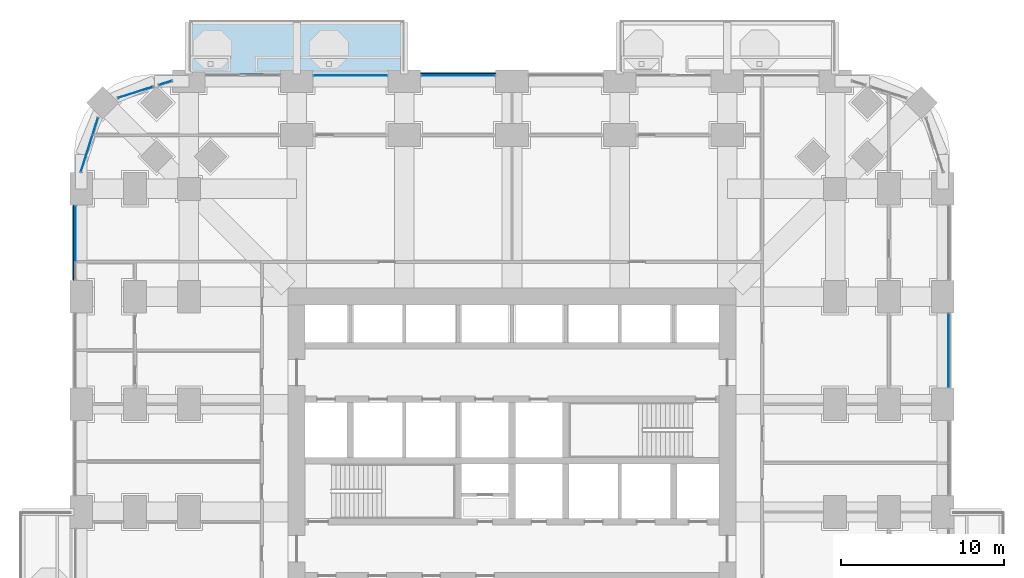
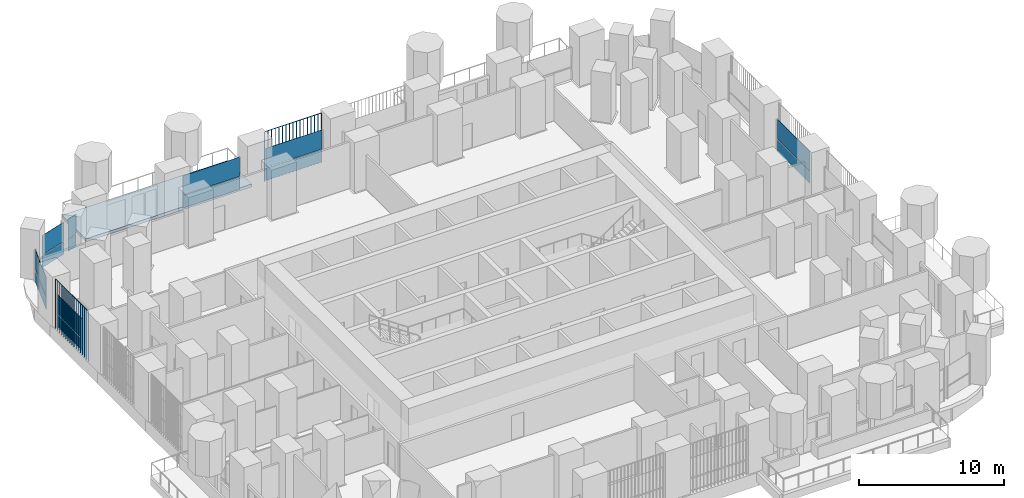
# One storey, part 14 of 25: 18 plates, 1 slab, 7 elements without a shape of their own.
"""IFC4 building model written with IfcOpenShell, lengths in metres."""

import ifcopenshell
import ifcopenshell.guid

model = None  # the IFC model being written
_history = None  # IfcOwnerHistory: only IFC2X3 demands one
_inside = {}  # id of a spatial element -> (the spatial element, [elements in it])
_under = {}  # id of a project, library or spatial element -> (it, [spatial elements below it])
_declared = {}  # id of a project -> (the project, [libraries it declares])
_typed = {}  # id of a type object -> (the type object, [elements of that type])
_made_of = {}  # id of a material, layer set ... -> (it, [elements and type objects made of it])


def new_model(schema):
    """Start an empty IFC model of exactly this schema.

    Asked for "IFC4X3", IfcOpenShell would pick the latest addendum, in which some entities
    have other attributes; the version numbers below select the first issue.
    IFC2X3 requires an IfcOwnerHistory on every rooted entity: one is made here for all.
    """
    global model, _history
    if schema == "IFC4X3":
        model = ifcopenshell.file(schema_version=(4, 3, 0, 0))
    else:
        model = ifcopenshell.file(schema=schema)
    _inside.clear()
    _under.clear()
    _declared.clear()
    _typed.clear()
    _made_of.clear()
    _history = None
    if model.schema == "IFC2X3":
        org = make("IfcOrganization", Name="unknown")
        user = make(
            "IfcPersonAndOrganization",
            ThePerson=make("IfcPerson", FamilyName="unknown"),
            TheOrganization=org,
        )
        app = make(
            "IfcApplication",
            ApplicationDeveloper=org,
            Version="unknown",
            ApplicationFullName="unknown",
            ApplicationIdentifier="unknown",
        )
        _history = make(
            "IfcOwnerHistory",
            OwningUser=user,
            OwningApplication=app,
            ChangeAction="ADDED",
            CreationDate=0,
        )
    return model


def make(cls, **values):
    """One entity of the class cls with the attributes given. An attribute that is None is left unset."""
    return model.create_entity(
        cls, **{name: value for name, value in values.items() if value is not None}
    )


def rooted(cls, **values):
    """An entity with a GlobalId (a new one), such as an element, a storey or a relation."""
    return make(cls, GlobalId=ifcopenshell.guid.new(), OwnerHistory=_history, **values)


def si_unit(unit_type, name, prefix=None):
    """IfcSIUnit, for example si_unit("LENGTHUNIT", "METRE", prefix="MILLI")."""
    return make("IfcSIUnit", UnitType=unit_type, Prefix=prefix, Name=name)


def assignment(units):
    """IfcUnitAssignment: the units of a project."""
    return None if units is None else make("IfcUnitAssignment", Units=units)


def point(xyz):
    """IfcCartesianPoint."""
    return None if xyz is None else make("IfcCartesianPoint", Coordinates=xyz)


def direction(xyz):
    """IfcDirection."""
    return None if xyz is None else make("IfcDirection", DirectionRatios=xyz)


def frame(location, z_axis=None, x_axis=None):
    """IfcAxis2Placement3D, a coordinate frame: its origin and axes. An axis left out is left unset."""
    return make(
        "IfcAxis2Placement3D",
        Location=point(location),
        Axis=direction(z_axis),
        RefDirection=direction(x_axis),
    )


def frame_2d(location, x_axis=None):
    """IfcAxis2Placement2D, a coordinate frame in the plane: its origin and x axis."""
    return make(
        "IfcAxis2Placement2D", Location=point(location), RefDirection=direction(x_axis)
    )


def origin():
    """The frame at (0, 0, 0) with its axes left unset."""
    return frame((0.0, 0.0, 0.0))


def origin_2d():
    """The frame at (0, 0) in the plane with its x axis left unset."""
    return frame_2d((0.0, 0.0))


def place(relative_to, where):
    """IfcLocalPlacement: puts the frame where relative to a parent placement (None: the world)."""
    return make(
        "IfcLocalPlacement", PlacementRelTo=relative_to, RelativePlacement=where
    )


def context(
    kind, dimensions, precision=None, world=None, true_north=None, identifier=None
):
    """IfcGeometricRepresentationContext, for example the 3D "Model" context."""
    return make(
        "IfcGeometricRepresentationContext",
        ContextIdentifier=identifier,
        ContextType=kind,
        CoordinateSpaceDimension=dimensions,
        Precision=precision,
        WorldCoordinateSystem=world,
        TrueNorth=true_north,
    )


def subcontext(parent, identifier, kind, view, scale=None):
    """IfcGeometricRepresentationSubContext, for example "Body" below "Model"."""
    return make(
        "IfcGeometricRepresentationSubContext",
        ContextIdentifier=identifier,
        ContextType=kind,
        ParentContext=parent,
        TargetScale=scale,
        TargetView=view,
    )


def project(units=None, contexts=None):
    """IfcProject with its units and contexts."""
    return rooted(
        "IfcProject",
        Name="project",
        RepresentationContexts=contexts,
        UnitsInContext=assignment(units),
    )


def spatial(cls, under=None, at=None, **own):
    """A site, building, storey or space (cls), placed at a placement, below another one or the project."""
    s = rooted(cls, ObjectPlacement=at, **own)
    if under is not None:
        _under.setdefault(under.id(), (under, []))[1].append(s)
    return s


def polyline(points):
    """IfcPolyline through the points."""
    return make("IfcPolyline", Points=[point(p) for p in points])


def profile(cls, at=None, kind="AREA", **sizes):
    """A parametric profile (cls). Its sizes go by their IFC names, for example OverallWidth=200.0."""
    return make(cls, ProfileType=kind, Position=at, **sizes)


def rectangle(**sizes):
    """IfcRectangleProfileDef."""
    return profile("IfcRectangleProfileDef", **sizes)


def outline(outer, holes=None, kind="AREA"):
    """IfcArbitraryClosedProfileDef: a profile drawn as a closed curve; with holes, ...WithVoids."""
    if holes is None:
        return make("IfcArbitraryClosedProfileDef", ProfileType=kind, OuterCurve=outer)
    return make(
        "IfcArbitraryProfileDefWithVoids",
        ProfileType=kind,
        OuterCurve=outer,
        InnerCurves=holes,
    )


def extrude(swept, where, along, depth):
    """IfcExtrudedAreaSolid: the profile swept, set in the frame where, extruded along a direction by depth."""
    return make(
        "IfcExtrudedAreaSolid",
        SweptArea=swept,
        Position=where,
        ExtrudedDirection=direction(along),
        Depth=depth,
    )


def shape(context_of_items, identifier, shape_type, items):
    """IfcShapeRepresentation: the items that make up one representation, for example the "Body"."""
    return make(
        "IfcShapeRepresentation",
        ContextOfItems=context_of_items,
        RepresentationIdentifier=identifier,
        RepresentationType=shape_type,
        Items=items,
    )


def material(Name=None, Category=None):
    """IfcMaterial."""
    return make("IfcMaterial", Name=Name, Category=Category)


def layer(
    of_material, thickness, ventilated=None, Name=None, Category=None, Priority=None
):
    """IfcMaterialLayer: one layer of a wall or slab, of a material (None: an air gap)."""
    return make(
        "IfcMaterialLayer",
        Material=of_material,
        LayerThickness=thickness,
        IsVentilated=ventilated,
        Name=Name,
        Category=Category,
        Priority=Priority,
    )


def layer_set(layers, Name=None):
    """IfcMaterialLayerSet."""
    return make("IfcMaterialLayerSet", MaterialLayers=layers, LayerSetName=Name)


def made_of(thing, what):
    """Note that an element or type object is made of a material, layer set ...; save() writes the relation."""
    if what is not None:
        _made_of.setdefault(what.id(), (what, []))[1].append(thing)
    return thing


def type_object(cls, material=None, **own):
    """A type object (cls), such as IfcWallType, which elements share."""
    return made_of(rooted(cls, **own), material)


def element(
    cls,
    number,
    at=None,
    inside=None,
    cuts=None,
    type_object=None,
    material=None,
    context=None,
    identifier="Body",
    shape_type=None,
    held_by="IfcProductDefinitionShape",
    body=None,
    shapes=None,
    **own,
):
    """One element of the class cls, such as IfcWall. Its Tag is "e" and its number.

    at: its placement. inside: the storey or other place that contains it. cuts: it is an
    opening in that element (IfcRelVoidsElement). A single representation is given by context,
    identifier, shape_type and body (its items); several are given by shapes. held_by: the class
    of the entity that holds the representations. save() writes the other relations.
    """
    e = rooted(cls, Tag="e%d" % number, ObjectPlacement=at, **own)
    if body is not None:
        shapes = [shape(context, identifier, shape_type, body)]
    if shapes is not None:
        e.Representation = make(held_by, Representations=shapes)
    if inside is not None:
        _inside.setdefault(inside.id(), (inside, []))[1].append(e)
    if cuts is not None:
        rooted(
            "IfcRelVoidsElement", RelatingBuildingElement=cuts, RelatedOpeningElement=e
        )
    if type_object is not None:
        _typed.setdefault(type_object.id(), (type_object, []))[1].append(e)
    return made_of(e, material)


def aggregate(whole, parts):
    """IfcRelAggregates: a whole, such as a stair, and the parts it consists of."""
    return rooted("IfcRelAggregates", RelatingObject=whole, RelatedObjects=parts)


def save(model, path):
    """Write the relations noted so far, then the file.

    IfcRelAggregates (storeys below a building ...), IfcRelContainedInSpatialStructure (elements
    in a storey), IfcRelDefinesByType, IfcRelAssociatesMaterial and IfcRelDeclares: one each for
    every whole, place, type object, material and project.
    """
    for whole, parts in _under.values():
        aggregate(whole, parts)
    for where, things in _inside.values():
        rooted(
            "IfcRelContainedInSpatialStructure",
            RelatedElements=things,
            RelatingStructure=where,
        )
    for kind, things in _typed.values():
        rooted("IfcRelDefinesByType", RelatedObjects=things, RelatingType=kind)
    for what, things in _made_of.values():
        rooted("IfcRelAssociatesMaterial", RelatedObjects=things, RelatingMaterial=what)
    for by, libraries in _declared.values():
        rooted("IfcRelDeclares", RelatingContext=by, RelatedDefinitions=libraries)
    model.write(path)


model = new_model("IFC4")

# Units and contexts
model_context = context("Model", 3, precision=1e-05, world=origin(), true_north=direction((0.0, 1.0)))
body_context = subcontext(model_context, "Body", "Model", "MODEL_VIEW")
ifc_project = project(units=[si_unit("LENGTHUNIT", "METRE"), si_unit("AREAUNIT", "SQUARE_METRE"), si_unit("VOLUMEUNIT", "CUBIC_METRE"), si_unit("PLANEANGLEUNIT", "RADIAN"), si_unit("MASSUNIT", "GRAM", prefix="KILO")], contexts=[model_context])

# Site, building, storey
site_placement = place(None, origin())
site = spatial("IfcSite", under=ifc_project, at=site_placement, CompositionType="ELEMENT")
building_placement = place(site_placement, origin())
building = spatial("IfcBuilding", under=site, at=building_placement, Name="Cobogo Forest Laboratory Tower", CompositionType="ELEMENT")
storey_placement = place(building_placement, frame((0.0, 0.0, 21.300048828125)))
storey = spatial("IfcBuildingStorey", under=building, at=storey_placement, Name="L04", CompositionType="ELEMENT", Elevation=21.300048828125)

# Slab
ifc_material_1 = material(Name="Concrete HA-40 (C40/50)", Category="concrete")
ifc_layer_1 = layer(ifc_material_1, 0.25)
ifc_layer_set_1 = layer_set([ifc_layer_1], Name="Balcony slab 250")
slab_type = type_object("IfcSlabType", Name="Balcony slab 250", PredefinedType="FLOOR", material=ifc_layer_set_1)
slab_placement = place(storey_placement, frame((0.0, 0.0, -0.25)))
element("IfcSlab", 1, at=slab_placement, inside=storey, type_object=slab_type, Name="Balcony BAL-N1 L04", PredefinedType="FLOOR", context=body_context, shape_type="SweptSolid", body=[
    extrude(outline(polyline([(6.60009765625, 46.64990234375), (19.800048828125, 46.64990234375), (19.800048828125, 49.949951171875), (6.60009765625, 49.949951171875), (6.60009765625, 46.64990234375)])), origin(), (0.0, 0.0, 1.0), 0.25),
])

# Curtain wall, plates
ifc_material_2 = material(Name="Aluminium curtain wall", Category="aluminium")
curtain_wall_type = type_object("IfcCurtainWallType", Name="CW-1 unitised curtain wall, clear glazing, laboratory floors zones A and B", PredefinedType="USERDEFINED", material=ifc_material_2)
curtain_wall_1_placement = place(storey_placement, origin())
curtain_wall_1 = element("IfcCurtainWall", 2, at=curtain_wall_1_placement, inside=storey, type_object=curtain_wall_type, Name="Curtain wall 13 L04", ObjectType="UNITISED CURTAIN WALL", PredefinedType="USERDEFINED")
ifc_material_3 = material(Name="Clear insulated glass", Category="glass")
ifc_layer_2 = layer(ifc_material_3, 0.028076171875)
ifc_layer_set_2 = layer_set([ifc_layer_2], Name="GP-1 clear insulated glass unit 28")
plate_type_1 = type_object("IfcPlateType", Name="GP-1 clear insulated glass unit 28", PredefinedType="CURTAIN_PANEL", material=ifc_layer_set_2)
plate_1_placement = place(storey_placement, frame((53.14990234375, 29.699951171875, 0.0), z_axis=(0.0, 0.0, 1.0), x_axis=(0.0, 1.0, 0.0)))
plate_1 = element("IfcPlate", 3, at=plate_1_placement, type_object=plate_type_1, Name="CW-1 panel 1.1", PredefinedType="CURTAIN_PANEL", context=body_context, shape_type="SweptSolid", body=[
    extrude(rectangle(XDim=4.47998046875, YDim=0.028076171875, at=origin_2d()), origin(), (0.0, 0.0, 1.0), 1.02001953125),
])
plate_2_placement = place(storey_placement, frame((53.14990234375, 29.699951171875, 1.079833984375), z_axis=(0.0, 0.0, 1.0), x_axis=(0.0, 1.0, 0.0)))
plate_2 = element("IfcPlate", 4, at=plate_2_placement, type_object=plate_type_1, Name="CW-1 panel 1.2", PredefinedType="CURTAIN_PANEL", context=body_context, shape_type="SweptSolid", body=[
    extrude(rectangle(XDim=4.47998046875, YDim=0.028076171875, at=origin_2d()), origin(), (0.0, 0.0, 1.0), 1.6201171875),
])
aggregate(curtain_wall_1, [plate_1, plate_2])

curtain_wall_2_placement = place(storey_placement, origin())
curtain_wall_2 = element("IfcCurtainWall", 5, at=curtain_wall_2_placement, inside=storey, type_object=curtain_wall_type, Name="Curtain wall 21 L04", ObjectType="UNITISED CURTAIN WALL", PredefinedType="USERDEFINED")
plate_3_placement = place(storey_placement, frame((23.10009765625, 46.550048828125, 0.0), z_axis=(0.0, 0.0, 1.0), x_axis=(-1.0, 0.0, 0.0)))
plate_3 = element("IfcPlate", 6, at=plate_3_placement, type_object=plate_type_1, Name="CW-1 panel 1.1", PredefinedType="CURTAIN_PANEL", context=body_context, shape_type="SweptSolid", body=[
    extrude(rectangle(XDim=4.47998046875, YDim=0.028076171875, at=origin_2d()), origin(), (0.0, 0.0, 1.0), 1.02001953125),
])
plate_4_placement = place(storey_placement, frame((23.10009765625, 46.550048828125, 1.079833984375), z_axis=(0.0, 0.0, 1.0), x_axis=(-1.0, 0.0, 0.0)))
plate_4 = element("IfcPlate", 7, at=plate_4_placement, type_object=plate_type_1, Name="CW-1 panel 1.2", PredefinedType="CURTAIN_PANEL", context=body_context, shape_type="SweptSolid", body=[
    extrude(rectangle(XDim=4.47998046875, YDim=0.028076171875, at=origin_2d()), origin(), (0.0, 0.0, 1.0), 1.6201171875),
])
aggregate(curtain_wall_2, [plate_3, plate_4])

curtain_wall_3_placement = place(storey_placement, origin())
curtain_wall_3 = element("IfcCurtainWall", 8, at=curtain_wall_3_placement, inside=storey, type_object=curtain_wall_type, Name="Curtain wall 22 L04", ObjectType="UNITISED CURTAIN WALL", PredefinedType="USERDEFINED")
plate_5_placement = place(storey_placement, frame((16.5, 46.550048828125, 0.0), z_axis=(0.0, 0.0, 1.0), x_axis=(-1.0, 0.0, 0.0)))
plate_5 = element("IfcPlate", 9, at=plate_5_placement, type_object=plate_type_1, Name="CW-1 panel 1.1", PredefinedType="CURTAIN_PANEL", context=body_context, shape_type="SweptSolid", body=[
    extrude(rectangle(XDim=4.47998046875, YDim=0.028076171875, at=origin_2d()), origin(), (0.0, 0.0, 1.0), 1.02001953125),
])
plate_6_placement = place(storey_placement, frame((16.5, 46.550048828125, 1.079833984375), z_axis=(0.0, 0.0, 1.0), x_axis=(-1.0, 0.0, 0.0)))
plate_6 = element("IfcPlate", 10, at=plate_6_placement, type_object=plate_type_1, Name="CW-1 panel 1.2", PredefinedType="CURTAIN_PANEL", context=body_context, shape_type="SweptSolid", body=[
    extrude(rectangle(XDim=4.47998046875, YDim=0.028076171875, at=origin_2d()), origin(), (0.0, 0.0, 1.0), 1.6201171875),
])
aggregate(curtain_wall_3, [plate_5, plate_6])

curtain_wall_4_placement = place(storey_placement, origin())
curtain_wall_4 = element("IfcCurtainWall", 11, at=curtain_wall_4_placement, inside=storey, type_object=curtain_wall_type, Name="Curtain wall 24 L04", ObjectType="UNITISED CURTAIN WALL", PredefinedType="USERDEFINED")
plate_7_placement = place(storey_placement, frame((5.158935546875, 46.094970703125, 0.0), z_axis=(0.0, 0.0, 1.0), x_axis=(-0.953581406818, -0.301135352577, 0.0)))
plate_7 = element("IfcPlate", 12, at=plate_7_placement, type_object=plate_type_1, Name="CW-1 panel 1.1", PredefinedType="CURTAIN_PANEL", context=body_context, shape_type="SweptSolid", body=[
    extrude(rectangle(XDim=0.804931640625, YDim=0.028076171875, at=origin_2d()), origin(), (0.0, 0.0, 1.0), 1.02001953125),
])
plate_8_placement = place(storey_placement, frame((5.158935546875, 46.094970703125, 1.079833984375), z_axis=(0.0, 0.0, 1.0), x_axis=(-0.953581406818, -0.301135352577, 0.0)))
plate_8 = element("IfcPlate", 13, at=plate_8_placement, type_object=plate_type_1, Name="CW-1 panel 1.2", PredefinedType="CURTAIN_PANEL", context=body_context, shape_type="SweptSolid", body=[
    extrude(rectangle(XDim=0.804931640625, YDim=0.028076171875, at=origin_2d()), origin(), (0.0, 0.0, 1.0), 1.6201171875),
])
aggregate(curtain_wall_4, [plate_7, plate_8])

curtain_wall_5_placement = place(storey_placement, origin())
curtain_wall_5 = element("IfcCurtainWall", 14, at=curtain_wall_5_placement, inside=storey, type_object=curtain_wall_type, Name="Curtain wall 25 L04", ObjectType="UNITISED CURTAIN WALL", PredefinedType="USERDEFINED")
plate_9_placement = place(storey_placement, frame((3.31787109375, 45.513427734375, 0.0), z_axis=(0.0, 0.0, 1.0), x_axis=(-0.953581409645, -0.301135343623, 0.0)))
plate_9 = element("IfcPlate", 15, at=plate_9_placement, type_object=plate_type_1, Name="CW-1 panel 1.1", PredefinedType="CURTAIN_PANEL", context=body_context, shape_type="SweptSolid", body=[
    extrude(rectangle(XDim=2.203369140625, YDim=0.028076171875, at=origin_2d()), origin(), (0.0, 0.0, 1.0), 1.02001953125),
])
plate_10_placement = place(storey_placement, frame((3.31787109375, 45.513427734375, 1.079833984375), z_axis=(0.0, 0.0, 1.0), x_axis=(-0.953581409645, -0.301135343623, 0.0)))
plate_10 = element("IfcPlate", 16, at=plate_10_placement, type_object=plate_type_1, Name="CW-1 panel 1.2", PredefinedType="CURTAIN_PANEL", context=body_context, shape_type="SweptSolid", body=[
    extrude(rectangle(XDim=2.203369140625, YDim=0.028076171875, at=origin_2d()), origin(), (0.0, 0.0, 1.0), 1.6201171875),
])
aggregate(curtain_wall_5, [plate_9, plate_10])

curtain_wall_6_placement = place(storey_placement, origin())
curtain_wall_6 = element("IfcCurtainWall", 17, at=curtain_wall_6_placement, inside=storey, type_object=curtain_wall_type, Name="Curtain wall 26 L04", ObjectType="UNITISED CURTAIN WALL", PredefinedType="USERDEFINED")
plate_11_placement = place(storey_placement, frame((0.863525390625, 43.442626953125, 0.0), z_axis=(0.0, 0.0, 1.0), x_axis=(-0.301135433696, -0.953581381201, 0.0)))
plate_11 = element("IfcPlate", 18, at=plate_11_placement, type_object=plate_type_1, Name="CW-1 panel 1.1", PredefinedType="CURTAIN_PANEL", context=body_context, shape_type="SweptSolid", body=[
    extrude(rectangle(XDim=1.027587890625, YDim=0.028076171875, at=origin_2d()), origin(), (0.0, 0.0, 1.0), 1.02001953125),
])
plate_12_placement = place(storey_placement, frame((0.863525390625, 43.442626953125, 1.079833984375), z_axis=(0.0, 0.0, 1.0), x_axis=(-0.301135433696, -0.953581381201, 0.0)))
plate_12 = element("IfcPlate", 19, at=plate_12_placement, type_object=plate_type_1, Name="CW-1 panel 1.2", PredefinedType="CURTAIN_PANEL", context=body_context, shape_type="SweptSolid", body=[
    extrude(rectangle(XDim=1.027587890625, YDim=0.028076171875, at=origin_2d()), origin(), (0.0, 0.0, 1.0), 1.6201171875),
])
plate_13_placement = place(storey_placement, frame((0.337158203125, 41.7763671875, 0.0), z_axis=(0.0, 0.0, 1.0), x_axis=(-0.301135433696, -0.953581381201, 0.0)))
plate_13 = element("IfcPlate", 20, at=plate_13_placement, type_object=plate_type_1, Name="CW-1 panel 2.1", PredefinedType="CURTAIN_PANEL", context=body_context, shape_type="SweptSolid", body=[
    extrude(rectangle(XDim=2.34716796875, YDim=0.028076171875, at=origin_2d()), origin(), (0.0, 0.0, 1.0), 1.02001953125),
])
plate_14_placement = place(storey_placement, frame((0.337158203125, 41.7763671875, 1.079833984375), z_axis=(0.0, 0.0, 1.0), x_axis=(-0.301135433696, -0.953581381201, 0.0)))
plate_14 = element("IfcPlate", 21, at=plate_14_placement, type_object=plate_type_1, Name="CW-1 panel 2.2", PredefinedType="CURTAIN_PANEL", context=body_context, shape_type="SweptSolid", body=[
    extrude(rectangle(XDim=2.34716796875, YDim=0.028076171875, at=origin_2d()), origin(), (0.0, 0.0, 1.0), 1.6201171875),
])
aggregate(curtain_wall_6, [plate_11, plate_12, plate_13, plate_14])

curtain_wall_7_placement = place(storey_placement, origin())
curtain_wall_7 = element("IfcCurtainWall", 22, at=curtain_wall_7_placement, inside=storey, type_object=curtain_wall_type, Name="Curtain wall 27 L04", ObjectType="UNITISED CURTAIN WALL", PredefinedType="USERDEFINED")
plate_15_placement = place(storey_placement, frame((-0.35009765625, 36.847412109375, 0.0), z_axis=(0.0, 0.0, 1.0), x_axis=(0.0, -1.0, 0.0)))
plate_15 = element("IfcPlate", 23, at=plate_15_placement, type_object=plate_type_1, Name="CW-1 panel 1.1", PredefinedType="CURTAIN_PANEL", context=body_context, shape_type="SweptSolid", body=[
    extrude(rectangle(XDim=3.385009765625, YDim=0.028076171875, at=origin_2d()), origin(), (0.0, 0.0, 1.0), 1.02001953125),
])
plate_16_placement = place(storey_placement, frame((-0.35009765625, 36.847412109375, 1.079833984375), z_axis=(0.0, 0.0, 1.0), x_axis=(0.0, -1.0, 0.0)))
plate_16 = element("IfcPlate", 24, at=plate_16_placement, type_object=plate_type_1, Name="CW-1 panel 1.2", PredefinedType="CURTAIN_PANEL", context=body_context, shape_type="SweptSolid", body=[
    extrude(rectangle(XDim=3.385009765625, YDim=0.028076171875, at=origin_2d()), origin(), (0.0, 0.0, 1.0), 1.6201171875),
])
aggregate(curtain_wall_7, [plate_15, plate_16])

# Plates
ifc_material_4 = material(Name="Terracotta", Category="masonry")
plate_type_2 = type_object("IfcPlateType", Name="TB1 terracotta baguette screen", PredefinedType="USERDEFINED", material=ifc_material_4)
plate_17_placement = place(storey_placement, frame((20.831298828125, 46.677978515625, -0.150146484375)))
element("IfcPlate", 25, at=plate_17_placement, inside=storey, type_object=plate_type_2, Name="Baguette screen N3 L04", ObjectType="BAGUETTE SCREEN", PredefinedType="USERDEFINED", context=body_context, shape_type="SweptSolid", body=[
    extrude(outline(polyline([(0.02880859375, 0.011962890625), (0.011962890625, 0.02880859375), (-0.011962890625, 0.02880859375), (-0.02880859375, 0.011962890625), (-0.02880859375, -0.011962890625), (-0.011962890625, -0.02880859375), (0.011962890625, -0.02880859375), (0.02880859375, -0.011962890625), (0.02880859375, 0.011962890625)])), frame((0.0, 0.0, 4.168701171875), z_axis=(1.0, 0.0, 0.0), x_axis=(0.0, 1.0, 0.0)), (0.0, 0.0, 1.0), 4.537353515625),
    extrude(outline(polyline([(0.02880859375, 0.011962890625), (0.011962890625, 0.02880859375), (-0.011962890625, 0.02880859375), (-0.02880859375, 0.011962890625), (-0.02880859375, -0.011962890625), (-0.011962890625, -0.02880859375), (0.011962890625, -0.02880859375), (0.02880859375, -0.011962890625), (0.02880859375, 0.011962890625)])), origin(), (0.0, 0.0, 1.0), 4.137451171875),
    extrude(outline(polyline([(0.02880859375, 0.011962890625), (0.011962890625, 0.02880859375), (-0.011962890625, 0.02880859375), (-0.02880859375, 0.011962890625), (-0.02880859375, -0.011962890625), (-0.011962890625, -0.02880859375), (0.011962890625, -0.02880859375), (0.02880859375, -0.011962890625), (0.02880859375, 0.011962890625)])), frame((0.28369140625, 0.0, 0.0)), (0.0, 0.0, 1.0), 4.137451171875),
    extrude(outline(polyline([(0.02880859375, 0.011962890625), (0.011962890625, 0.02880859375), (-0.011962890625, 0.02880859375), (-0.02880859375, 0.011962890625), (-0.02880859375, -0.011962890625), (-0.011962890625, -0.02880859375), (0.011962890625, -0.02880859375), (0.02880859375, -0.011962890625), (0.02880859375, 0.011962890625)])), frame((0.567138671875, 0.0, 0.0)), (0.0, 0.0, 1.0), 4.137451171875),
    extrude(outline(polyline([(0.02880859375, 0.011962890625), (0.011962890625, 0.02880859375), (-0.011962890625, 0.02880859375), (-0.02880859375, 0.011962890625), (-0.02880859375, -0.011962890625), (-0.011962890625, -0.02880859375), (0.011962890625, -0.02880859375), (0.02880859375, -0.011962890625), (0.02880859375, 0.011962890625)])), frame((0.850830078125, 0.0, 0.0)), (0.0, 0.0, 1.0), 4.137451171875),
    extrude(outline(polyline([(0.02880859375, 0.011962890625), (0.011962890625, 0.02880859375), (-0.011962890625, 0.02880859375), (-0.02880859375, 0.011962890625), (-0.02880859375, -0.011962890625), (-0.011962890625, -0.02880859375), (0.011962890625, -0.02880859375), (0.02880859375, -0.011962890625), (0.02880859375, 0.011962890625)])), frame((1.13427734375, 0.0, 0.0)), (0.0, 0.0, 1.0), 4.137451171875),
    extrude(outline(polyline([(0.02880859375, 0.011962890625), (0.011962890625, 0.02880859375), (-0.011962890625, 0.02880859375), (-0.02880859375, 0.011962890625), (-0.02880859375, -0.011962890625), (-0.011962890625, -0.02880859375), (0.011962890625, -0.02880859375), (0.02880859375, -0.011962890625), (0.02880859375, 0.011962890625)])), frame((1.41796875, 0.0, 0.0)), (0.0, 0.0, 1.0), 4.137451171875),
    extrude(outline(polyline([(0.02880859375, 0.011962890625), (0.011962890625, 0.02880859375), (-0.011962890625, 0.02880859375), (-0.02880859375, 0.011962890625), (-0.02880859375, -0.011962890625), (-0.011962890625, -0.02880859375), (0.011962890625, -0.02880859375), (0.02880859375, -0.011962890625), (0.02880859375, 0.011962890625)])), frame((1.701416015625, 0.0, 0.0)), (0.0, 0.0, 1.0), 4.137451171875),
    extrude(outline(polyline([(0.02880859375, 0.011962890625), (0.011962890625, 0.02880859375), (-0.011962890625, 0.02880859375), (-0.02880859375, 0.011962890625), (-0.02880859375, -0.011962890625), (-0.011962890625, -0.02880859375), (0.011962890625, -0.02880859375), (0.02880859375, -0.011962890625), (0.02880859375, 0.011962890625)])), frame((1.985107421875, 0.0, 0.0)), (0.0, 0.0, 1.0), 4.137451171875),
    extrude(outline(polyline([(0.02880859375, 0.011962890625), (0.011962890625, 0.02880859375), (-0.011962890625, 0.02880859375), (-0.02880859375, 0.011962890625), (-0.02880859375, -0.011962890625), (-0.011962890625, -0.02880859375), (0.011962890625, -0.02880859375), (0.02880859375, -0.011962890625), (0.02880859375, 0.011962890625)])), frame((2.2685546875, 0.0, 0.0)), (0.0, 0.0, 1.0), 4.137451171875),
    extrude(outline(polyline([(0.02880859375, 0.011962890625), (0.011962890625, 0.02880859375), (-0.011962890625, 0.02880859375), (-0.02880859375, 0.011962890625), (-0.02880859375, -0.011962890625), (-0.011962890625, -0.02880859375), (0.011962890625, -0.02880859375), (0.02880859375, -0.011962890625), (0.02880859375, 0.011962890625)])), frame((2.55224609375, 0.0, 0.0)), (0.0, 0.0, 1.0), 4.137451171875),
    extrude(outline(polyline([(0.02880859375, 0.011962890625), (0.011962890625, 0.02880859375), (-0.011962890625, 0.02880859375), (-0.02880859375, 0.011962890625), (-0.02880859375, -0.011962890625), (-0.011962890625, -0.02880859375), (0.011962890625, -0.02880859375), (0.02880859375, -0.011962890625), (0.02880859375, 0.011962890625)])), frame((2.8359375, 0.0, 0.0)), (0.0, 0.0, 1.0), 4.137451171875),
    extrude(outline(polyline([(0.02880859375, 0.011962890625), (0.011962890625, 0.02880859375), (-0.011962890625, 0.02880859375), (-0.02880859375, 0.011962890625), (-0.02880859375, -0.011962890625), (-0.011962890625, -0.02880859375), (0.011962890625, -0.02880859375), (0.02880859375, -0.011962890625), (0.02880859375, 0.011962890625)])), frame((3.119384765625, 0.0, 0.0)), (0.0, 0.0, 1.0), 4.137451171875),
    extrude(outline(polyline([(0.02880859375, 0.011962890625), (0.011962890625, 0.02880859375), (-0.011962890625, 0.02880859375), (-0.02880859375, 0.011962890625), (-0.02880859375, -0.011962890625), (-0.011962890625, -0.02880859375), (0.011962890625, -0.02880859375), (0.02880859375, -0.011962890625), (0.02880859375, 0.011962890625)])), frame((3.403076171875, 0.0, 0.0)), (0.0, 0.0, 1.0), 4.137451171875),
    extrude(outline(polyline([(0.02880859375, 0.011962890625), (0.011962890625, 0.02880859375), (-0.011962890625, 0.02880859375), (-0.02880859375, 0.011962890625), (-0.02880859375, -0.011962890625), (-0.011962890625, -0.02880859375), (0.011962890625, -0.02880859375), (0.02880859375, -0.011962890625), (0.02880859375, 0.011962890625)])), frame((3.6865234375, 0.0, 0.0)), (0.0, 0.0, 1.0), 4.137451171875),
    extrude(outline(polyline([(0.02880859375, 0.011962890625), (0.011962890625, 0.02880859375), (-0.011962890625, 0.02880859375), (-0.02880859375, 0.011962890625), (-0.02880859375, -0.011962890625), (-0.011962890625, -0.02880859375), (0.011962890625, -0.02880859375), (0.02880859375, -0.011962890625), (0.02880859375, 0.011962890625)])), frame((3.97021484375, 0.0, 0.0)), (0.0, 0.0, 1.0), 4.137451171875),
    extrude(outline(polyline([(0.02880859375, 0.011962890625), (0.011962890625, 0.02880859375), (-0.011962890625, 0.02880859375), (-0.02880859375, 0.011962890625), (-0.02880859375, -0.011962890625), (-0.011962890625, -0.02880859375), (0.011962890625, -0.02880859375), (0.02880859375, -0.011962890625), (0.02880859375, 0.011962890625)])), frame((4.253662109375, 0.0, 0.0)), (0.0, 0.0, 1.0), 4.137451171875),
    extrude(outline(polyline([(0.02880859375, 0.011962890625), (0.011962890625, 0.02880859375), (-0.011962890625, 0.02880859375), (-0.02880859375, 0.011962890625), (-0.02880859375, -0.011962890625), (-0.011962890625, -0.02880859375), (0.011962890625, -0.02880859375), (0.02880859375, -0.011962890625), (0.02880859375, 0.011962890625)])), frame((4.537353515625, 0.0, 0.0)), (0.0, 0.0, 1.0), 4.137451171875),
])
plate_18_placement = place(storey_placement, frame((-0.477783203125, 34.03125, -0.150146484375)))
element("IfcPlate", 26, at=plate_18_placement, inside=storey, type_object=plate_type_2, Name="Baguette screen W5 L04", ObjectType="BAGUETTE SCREEN", PredefinedType="USERDEFINED", context=body_context, shape_type="SweptSolid", body=[
    extrude(outline(polyline([(0.02880859375, 0.011962890625), (0.011962890625, 0.02880859375), (-0.011962890625, 0.02880859375), (-0.02880859375, 0.011962890625), (-0.02880859375, -0.011962890625), (-0.011962890625, -0.02880859375), (0.011962890625, -0.02880859375), (0.02880859375, -0.011962890625), (0.02880859375, 0.011962890625)])), frame((0.0, 0.0, 4.168701171875), z_axis=(0.0, 1.0, 0.0), x_axis=(-1.0, 0.0, 0.0)), (0.0, 0.0, 1.0), 4.53759765625),
    extrude(outline(polyline([(0.02880859375, 0.011962890625), (0.011962890625, 0.02880859375), (-0.011962890625, 0.02880859375), (-0.02880859375, 0.011962890625), (-0.02880859375, -0.011962890625), (-0.011962890625, -0.02880859375), (0.011962890625, -0.02880859375), (0.02880859375, -0.011962890625), (0.02880859375, 0.011962890625)])), origin(), (0.0, 0.0, 1.0), 4.137451171875),
    extrude(outline(polyline([(0.02880859375, 0.011962890625), (0.011962890625, 0.02880859375), (-0.011962890625, 0.02880859375), (-0.02880859375, 0.011962890625), (-0.02880859375, -0.011962890625), (-0.011962890625, -0.02880859375), (0.011962890625, -0.02880859375), (0.02880859375, -0.011962890625), (0.02880859375, 0.011962890625)])), frame((0.0, 0.28369140625, 0.0)), (0.0, 0.0, 1.0), 4.137451171875),
    extrude(outline(polyline([(0.02880859375, 0.011962890625), (0.011962890625, 0.02880859375), (-0.011962890625, 0.02880859375), (-0.02880859375, 0.011962890625), (-0.02880859375, -0.011962890625), (-0.011962890625, -0.02880859375), (0.011962890625, -0.02880859375), (0.02880859375, -0.011962890625), (0.02880859375, 0.011962890625)])), frame((0.0, 0.567138671875, 0.0)), (0.0, 0.0, 1.0), 4.137451171875),
    extrude(outline(polyline([(0.02880859375, 0.011962890625), (0.011962890625, 0.02880859375), (-0.011962890625, 0.02880859375), (-0.02880859375, 0.011962890625), (-0.02880859375, -0.011962890625), (-0.011962890625, -0.02880859375), (0.011962890625, -0.02880859375), (0.02880859375, -0.011962890625), (0.02880859375, 0.011962890625)])), frame((0.0, 0.850830078125, 0.0)), (0.0, 0.0, 1.0), 4.137451171875),
    extrude(outline(polyline([(0.02880859375, 0.011962890625), (0.011962890625, 0.02880859375), (-0.011962890625, 0.02880859375), (-0.02880859375, 0.011962890625), (-0.02880859375, -0.011962890625), (-0.011962890625, -0.02880859375), (0.011962890625, -0.02880859375), (0.02880859375, -0.011962890625), (0.02880859375, 0.011962890625)])), frame((0.0, 1.13427734375, 0.0)), (0.0, 0.0, 1.0), 4.137451171875),
    extrude(outline(polyline([(0.02880859375, 0.011962890625), (0.011962890625, 0.02880859375), (-0.011962890625, 0.02880859375), (-0.02880859375, 0.011962890625), (-0.02880859375, -0.011962890625), (-0.011962890625, -0.02880859375), (0.011962890625, -0.02880859375), (0.02880859375, -0.011962890625), (0.02880859375, 0.011962890625)])), frame((0.0, 1.41796875, 0.0)), (0.0, 0.0, 1.0), 4.137451171875),
    extrude(outline(polyline([(0.02880859375, 0.011962890625), (0.011962890625, 0.02880859375), (-0.011962890625, 0.02880859375), (-0.02880859375, 0.011962890625), (-0.02880859375, -0.011962890625), (-0.011962890625, -0.02880859375), (0.011962890625, -0.02880859375), (0.02880859375, -0.011962890625), (0.02880859375, 0.011962890625)])), frame((0.0, 1.70166015625, 0.0)), (0.0, 0.0, 1.0), 4.137451171875),
    extrude(outline(polyline([(0.02880859375, 0.011962890625), (0.011962890625, 0.02880859375), (-0.011962890625, 0.02880859375), (-0.02880859375, 0.011962890625), (-0.02880859375, -0.011962890625), (-0.011962890625, -0.02880859375), (0.011962890625, -0.02880859375), (0.02880859375, -0.011962890625), (0.02880859375, 0.011962890625)])), frame((0.0, 1.985107421875, 0.0)), (0.0, 0.0, 1.0), 4.137451171875),
    extrude(outline(polyline([(0.02880859375, 0.011962890625), (0.011962890625, 0.02880859375), (-0.011962890625, 0.02880859375), (-0.02880859375, 0.011962890625), (-0.02880859375, -0.011962890625), (-0.011962890625, -0.02880859375), (0.011962890625, -0.02880859375), (0.02880859375, -0.011962890625), (0.02880859375, 0.011962890625)])), frame((0.0, 2.268798828125, 0.0)), (0.0, 0.0, 1.0), 4.137451171875),
    extrude(outline(polyline([(0.02880859375, 0.011962890625), (0.011962890625, 0.02880859375), (-0.011962890625, 0.02880859375), (-0.02880859375, 0.011962890625), (-0.02880859375, -0.011962890625), (-0.011962890625, -0.02880859375), (0.011962890625, -0.02880859375), (0.02880859375, -0.011962890625), (0.02880859375, 0.011962890625)])), frame((0.0, 2.552490234375, 0.0)), (0.0, 0.0, 1.0), 4.137451171875),
    extrude(outline(polyline([(0.02880859375, 0.011962890625), (0.011962890625, 0.02880859375), (-0.011962890625, 0.02880859375), (-0.02880859375, 0.011962890625), (-0.02880859375, -0.011962890625), (-0.011962890625, -0.02880859375), (0.011962890625, -0.02880859375), (0.02880859375, -0.011962890625), (0.02880859375, 0.011962890625)])), frame((0.0, 2.8359375, 0.0)), (0.0, 0.0, 1.0), 4.137451171875),
    extrude(outline(polyline([(0.02880859375, 0.011962890625), (0.011962890625, 0.02880859375), (-0.011962890625, 0.02880859375), (-0.02880859375, 0.011962890625), (-0.02880859375, -0.011962890625), (-0.011962890625, -0.02880859375), (0.011962890625, -0.02880859375), (0.02880859375, -0.011962890625), (0.02880859375, 0.011962890625)])), frame((0.0, 3.11962890625, 0.0)), (0.0, 0.0, 1.0), 4.137451171875),
    extrude(outline(polyline([(0.02880859375, 0.011962890625), (0.011962890625, 0.02880859375), (-0.011962890625, 0.02880859375), (-0.02880859375, 0.011962890625), (-0.02880859375, -0.011962890625), (-0.011962890625, -0.02880859375), (0.011962890625, -0.02880859375), (0.02880859375, -0.011962890625), (0.02880859375, 0.011962890625)])), frame((0.0, 3.4033203125, 0.0)), (0.0, 0.0, 1.0), 4.137451171875),
    extrude(outline(polyline([(0.02880859375, 0.011962890625), (0.011962890625, 0.02880859375), (-0.011962890625, 0.02880859375), (-0.02880859375, 0.011962890625), (-0.02880859375, -0.011962890625), (-0.011962890625, -0.02880859375), (0.011962890625, -0.02880859375), (0.02880859375, -0.011962890625), (0.02880859375, 0.011962890625)])), frame((0.0, 3.686767578125, 0.0)), (0.0, 0.0, 1.0), 4.137451171875),
    extrude(outline(polyline([(0.02880859375, 0.011962890625), (0.011962890625, 0.02880859375), (-0.011962890625, 0.02880859375), (-0.02880859375, 0.011962890625), (-0.02880859375, -0.011962890625), (-0.011962890625, -0.02880859375), (0.011962890625, -0.02880859375), (0.02880859375, -0.011962890625), (0.02880859375, 0.011962890625)])), frame((0.0, 3.970458984375, 0.0)), (0.0, 0.0, 1.0), 4.137451171875),
    extrude(outline(polyline([(0.02880859375, 0.011962890625), (0.011962890625, 0.02880859375), (-0.011962890625, 0.02880859375), (-0.02880859375, 0.011962890625), (-0.02880859375, -0.011962890625), (-0.011962890625, -0.02880859375), (0.011962890625, -0.02880859375), (0.02880859375, -0.011962890625), (0.02880859375, 0.011962890625)])), frame((0.0, 4.25390625, 0.0)), (0.0, 0.0, 1.0), 4.137451171875),
    extrude(outline(polyline([(0.02880859375, 0.011962890625), (0.011962890625, 0.02880859375), (-0.011962890625, 0.02880859375), (-0.02880859375, 0.011962890625), (-0.02880859375, -0.011962890625), (-0.011962890625, -0.02880859375), (0.011962890625, -0.02880859375), (0.02880859375, -0.011962890625), (0.02880859375, 0.011962890625)])), frame((0.0, 4.53759765625, 0.0)), (0.0, 0.0, 1.0), 4.137451171875),
])

save(model, "model.ifc")
